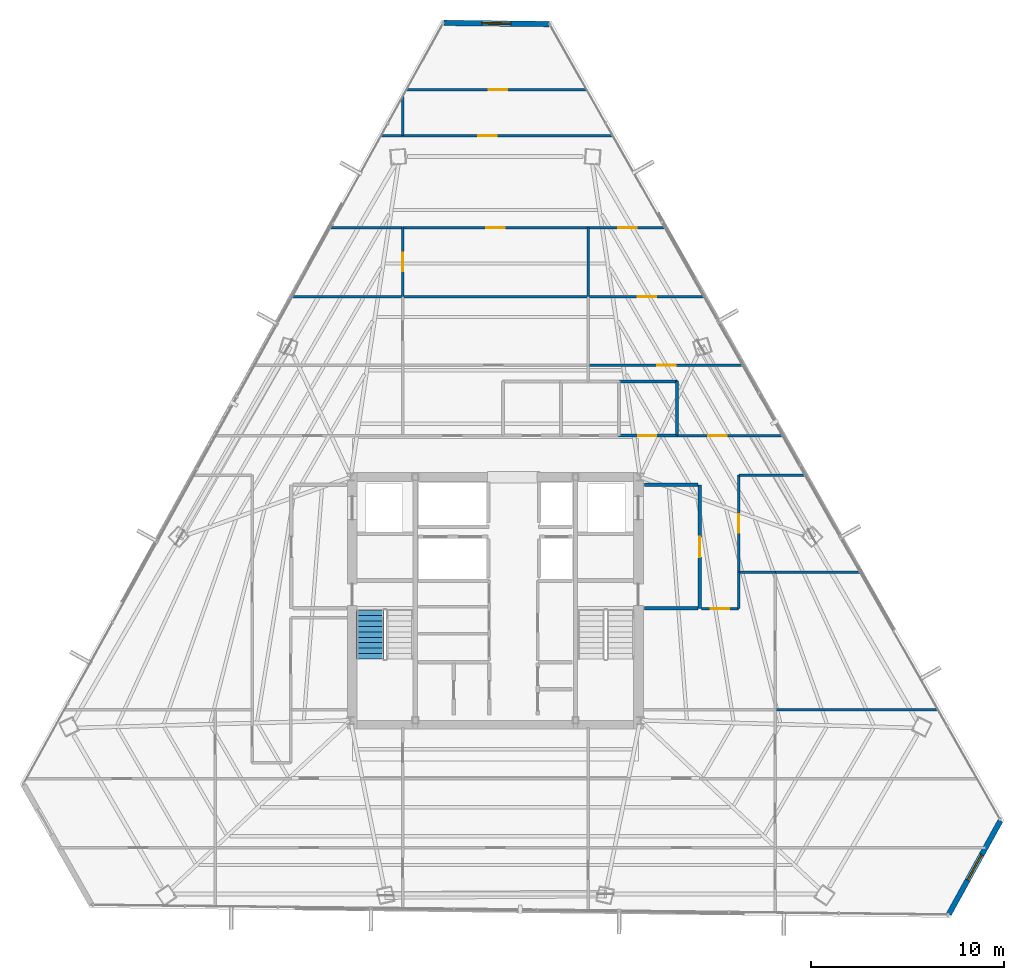
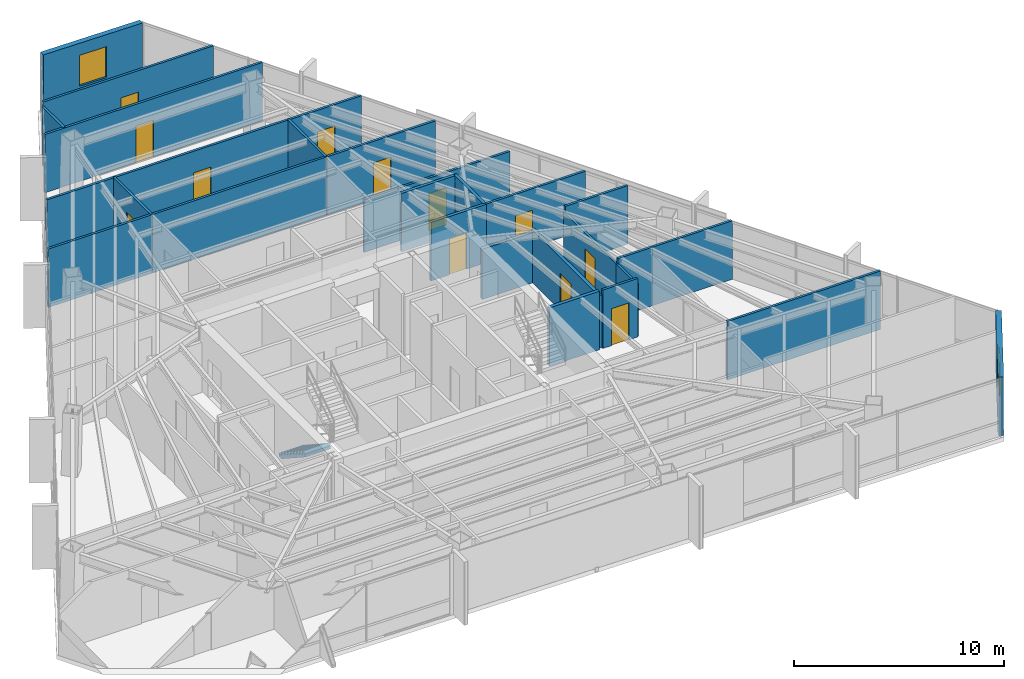
# One storey, part 38 of 42: 28 walls, 12 doors, 2 windows, 1 stair flight, 14 openings, 1 element without a shape of its own.
"""IFC4 building model written with IfcOpenShell, lengths in metres."""

from ifc_helpers import new_model, si_unit, direction, frame, frame_2d, origin, place, context, subcontext, project, spatial, polyline, rectangle, outline, extrude, material, layer, layer_set, type_object, element, fill, aggregate, save


model = new_model("IFC4")

# Units and contexts
model_context = context("Model", 3, precision=1e-05, world=origin(), true_north=direction((0.0, 1.0)))
body_context = subcontext(model_context, "Body", "Model", "MODEL_VIEW")
ifc_project = project(units=[si_unit("LENGTHUNIT", "METRE"), si_unit("AREAUNIT", "SQUARE_METRE"), si_unit("VOLUMEUNIT", "CUBIC_METRE"), si_unit("PLANEANGLEUNIT", "RADIAN"), si_unit("MASSUNIT", "GRAM", prefix="KILO")], contexts=[model_context])

# Site, building, storey
site_placement = place(None, origin())
site = spatial("IfcSite", under=ifc_project, at=site_placement, CompositionType="ELEMENT")
building_placement = place(site_placement, origin())
building = spatial("IfcBuilding", under=site, at=building_placement, Name="Caelisora Broadcast Tower", CompositionType="ELEMENT")
storey_placement = place(building_placement, frame((0.0, 0.0, 205.949951171875)))
storey = spatial("IfcBuildingStorey", under=building, at=storey_placement, Name="L54", CompositionType="ELEMENT", Elevation=205.949951171875)

# Wall, opening, window
ifc_material_1 = material(Name="Insulated Terracotta Spandrel Wall System", Category="masonry")
ifc_layer_1 = layer(ifc_material_1, 0.280029296875, Name="Insulated Terracotta Spandrel Wall System")
ifc_layer_set_1 = layer_set([ifc_layer_1], Name="Insulated Terracotta Spandrel Wall System")
wall_type_1 = type_object("IfcWallType", Name="EW1", PredefinedType="STANDARD", material=ifc_layer_set_1)
wall_1_placement = place(storey_placement, frame((64.152587890625, 12.20166015625, 0.0), z_axis=(0.0, 0.0, 1.0), x_axis=(-0.483115891813, -0.87555641456, 0.0)))
wall_1 = element("IfcWall", 1, at=wall_1_placement, inside=storey, type_object=wall_type_1, Name="L54 exterior envelope wall EW1", PredefinedType="STANDARD", context=body_context, shape_type="SweptSolid", body=[
    extrude(rectangle(XDim=5.52490234375, YDim=0.280029296875, at=frame_2d((2.762451171875, 0.0))), origin(), (0.0, 0.0, 1.0), 3.400146484375),
])
opening_1_placement = place(wall_1_placement, frame((2.010009765625, 0.0, 0.89990234375)))
opening_1 = element("IfcOpeningElement", 2, at=opening_1_placement, cuts=wall_1, Name="Opening W02", PredefinedType="OPENING", context=body_context, shape_type="SweptSolid", body=[
    extrude(rectangle(XDim=1.5, YDim=1.800048828125, at=frame_2d((0.75, 0.89990234375))), frame((0.0, 0.152099609375, 0.0), z_axis=(0.0, -1.0, 0.0), x_axis=(1.0, 0.0, 0.0)), (0.0, 0.0, 1.0), 0.303955078125),
])
ifc_material_2 = material(Name="Double Glazed Terracotta-Framed Vision Window", Category="glass")
window_type = type_object("IfcWindowType", Name="W02", PartitioningType="SINGLE_PANEL", PredefinedType="WINDOW", material=ifc_material_2)
window_1_placement = place(opening_1_placement, origin())
window_1 = element("IfcWindow", 3, at=window_1_placement, inside=storey, type_object=window_type, Name="L54 window W02 (L54-WN-CH0)", OverallHeight=1.800048828125, OverallWidth=1.5, PartitioningType="SINGLE_PANEL", PredefinedType="WINDOW", context=body_context, shape_type="SweptSolid", body=[
    extrude(rectangle(XDim=1.5, YDim=1.800048828125, at=frame_2d((0.75, 0.89990234375))), frame((0.0, 0.030029296875, 0.0), z_axis=(0.0, -1.0, 0.0), x_axis=(1.0, 0.0, 0.0)), (0.0, 0.0, 1.0), 0.06005859375),
])
fill(opening_1, window_1)

wall_2_placement = place(storey_placement, frame((35.3359375, 53.518798828125, 0.0), z_axis=(0.0, 0.0, 1.0), x_axis=(0.999936052866, -0.011308854022, 0.0)))
wall_2 = element("IfcWall", 4, at=wall_2_placement, inside=storey, type_object=wall_type_1, Name="L54 exterior envelope wall EW1", PredefinedType="STANDARD", context=body_context, shape_type="SweptSolid", body=[
    extrude(rectangle(XDim=5.440185546875, YDim=0.280029296875, at=frame_2d((2.72021484375, 0.0))), origin(), (0.0, 0.0, 1.0), 3.400146484375),
])
opening_2_placement = place(wall_2_placement, frame((1.969970703125, 0.0, 0.89990234375)))
opening_2 = element("IfcOpeningElement", 5, at=opening_2_placement, cuts=wall_2, Name="Opening W02", PredefinedType="OPENING", context=body_context, shape_type="SweptSolid", body=[
    extrude(rectangle(XDim=1.5, YDim=1.800048828125, at=frame_2d((0.75, 0.89990234375))), frame((0.0, 0.152099609375, 0.0), z_axis=(0.0, -1.0, 0.0), x_axis=(1.0, 0.0, 0.0)), (0.0, 0.0, 1.0), 0.303955078125),
])
window_2_placement = place(opening_2_placement, origin())
window_2 = element("IfcWindow", 6, at=window_2_placement, inside=storey, type_object=window_type, Name="L54 window W02 (L54-WN-CH8)", OverallHeight=1.800048828125, OverallWidth=1.5, PartitioningType="SINGLE_PANEL", PredefinedType="WINDOW", context=body_context, shape_type="SweptSolid", body=[
    extrude(rectangle(XDim=1.5, YDim=1.800048828125, at=frame_2d((0.75, 0.89990234375))), frame((0.0, 0.030029296875, 0.0), z_axis=(0.0, -1.0, 0.0), x_axis=(1.0, 0.0, 0.0)), (0.0, 0.0, 1.0), 0.06005859375),
])
fill(opening_2, window_2)

# Wall, opening, door
ifc_material_3 = material(Name="Fire-Rated Gypsum Shaft and Compartment Wall", Category="gypsum")
ifc_layer_2 = layer(ifc_material_3, 0.179931640625, Name="Fire-Rated Gypsum Shaft and Compartment Wall")
ifc_layer_set_2 = layer_set([ifc_layer_2], Name="Fire-Rated Gypsum Shaft and Compartment Wall")
wall_type_2 = type_object("IfcWallType", Name="PW2", PredefinedType="PARTITIONING", material=ifc_layer_set_2)
wall_3_placement = place(storey_placement, frame((48.580078125, 23.199951171875, 0.0), z_axis=(0.0, 0.0, 1.0), x_axis=(0.0, 1.0, 0.0)))
wall_3 = element("IfcWall", 7, at=wall_3_placement, inside=storey, type_object=wall_type_2, Name="L54 fire compartment wall PW2", PredefinedType="PARTITIONING", context=body_context, shape_type="SweptSolid", body=[
    extrude(rectangle(XDim=6.400146484375, YDim=0.179931640625, at=frame_2d((3.2001953125, 0.0))), origin(), (0.0, 0.0, 1.0), 3.077880859375),
])
opening_3_placement = place(wall_3_placement, frame((2.64990234375, 0.0, 0.0)))
opening_3 = element("IfcOpeningElement", 8, at=opening_3_placement, cuts=wall_3, Name="Opening FD02", PredefinedType="OPENING", context=body_context, shape_type="SweptSolid", body=[
    extrude(rectangle(XDim=1.050048828125, YDim=2.14990234375, at=frame_2d((0.52490234375, 1.074951171875))), frame((0.0, 0.10205078125, 0.0), z_axis=(0.0, -1.0, 0.0), x_axis=(1.0, 0.0, 0.0)), (0.0, 0.0, 1.0), 0.203857421875),
])
ifc_material_4 = material(Name="Single-Leaf Steel Fire Lobby Door", Category="steel")
door_type_1 = type_object("IfcDoorType", Name="FD02", OperationType="NOTDEFINED", PredefinedType="DOOR", material=ifc_material_4)
door_1_placement = place(opening_3_placement, origin())
door_1 = element("IfcDoor", 9, at=door_1_placement, inside=storey, type_object=door_type_1, Name="L54 door FD02 (L54-DR-P04D1)", OperationType="SINGLE_SWING_LEFT", OverallHeight=2.14990234375, OverallWidth=1.050048828125, PredefinedType="DOOR", context=body_context, shape_type="SweptSolid", body=[
    extrude(rectangle(XDim=1.050048828125, YDim=2.14990234375, at=frame_2d((0.52490234375, 1.074951171875))), frame((0.0, 0.02490234375, 0.0), z_axis=(0.0, -1.0, 0.0), x_axis=(1.0, 0.0, 0.0)), (0.0, 0.0, 1.0), 0.050048828125),
])
fill(opening_3, door_1)

# Walls
wall_4_placement = place(storey_placement, frame((45.719970703125, 23.199951171875, 0.0), z_axis=(0.0, 0.0, 1.0), x_axis=(1.0, 0.0, 0.0)))
element("IfcWall", 10, at=wall_4_placement, inside=storey, type_object=wall_type_2, Name="L54 fire compartment wall PW2", PredefinedType="PARTITIONING", context=body_context, shape_type="SweptSolid", body=[
    extrude(rectangle(XDim=2.760009765625, YDim=0.179931640625, at=frame_2d((1.3798828125, 0.0))), origin(), (0.0, 0.0, 1.0), 3.400146484375),
])
wall_5_placement = place(storey_placement, frame((45.719970703125, 29.60009765625, 0.0), z_axis=(0.0, 0.0, 1.0), x_axis=(1.0, 0.0, 0.0)))
element("IfcWall", 11, at=wall_5_placement, inside=storey, type_object=wall_type_2, Name="L54 fire compartment wall PW2", PredefinedType="PARTITIONING", context=body_context, shape_type="SweptSolid", body=[
    extrude(rectangle(XDim=2.760009765625, YDim=0.179931640625, at=frame_2d((1.3798828125, 0.0))), origin(), (0.0, 0.0, 1.0), 2.924560546875),
])

# Wall, opening, door
ifc_material_5 = material(Name="Acoustic Steel-Stud Plasterboard Partition", Category="gypsum")
ifc_layer_3 = layer(ifc_material_5, 0.1298828125, Name="Acoustic Steel-Stud Plasterboard Partition")
ifc_layer_set_3 = layer_set([ifc_layer_3], Name="Acoustic Steel-Stud Plasterboard Partition")
wall_type_3 = type_object("IfcWallType", Name="PW3", PredefinedType="PARTITIONING", material=ifc_layer_set_3)
wall_6_placement = place(storey_placement, frame((32.1044921875, 47.679931640625, 0.0), z_axis=(0.0, 0.0, 1.0), x_axis=(1.0, 0.0, 0.0)))
wall_6 = element("IfcWall", 12, at=wall_6_placement, inside=storey, type_object=wall_type_3, Name="L54 internal partition PW3", PredefinedType="PARTITIONING", context=body_context, shape_type="SweptSolid", body=[
    extrude(rectangle(XDim=11.980712890625, YDim=0.1298828125, at=frame_2d((5.990234375, 0.0))), origin(), (0.0, 0.0, 1.0), 3.400146484375),
])
opening_4_placement = place(wall_6_placement, frame((5.011962890625, 0.0, 0.0)))
opening_4 = element("IfcOpeningElement", 13, at=opening_4_placement, cuts=wall_6, Name="Opening D01", PredefinedType="OPENING", context=body_context, shape_type="SweptSolid", body=[
    extrude(rectangle(XDim=0.9599609375, YDim=2.14990234375, at=frame_2d((0.47998046875, 1.074951171875))), frame((0.0, 0.076904296875, 0.0), z_axis=(0.0, -1.0, 0.0), x_axis=(1.0, 0.0, 0.0)), (0.0, 0.0, 1.0), 0.15380859375),
])
ifc_material_6 = material(Name="Solid-Core Timber Acoustic Office Door", Category="wood")
door_type_2 = type_object("IfcDoorType", Name="D01", OperationType="NOTDEFINED", PredefinedType="DOOR", material=ifc_material_6)
door_2_placement = place(opening_4_placement, origin())
door_2 = element("IfcDoor", 14, at=door_2_placement, inside=storey, type_object=door_type_2, Name="L54 door D01 (L54-DR-P33D1)", OperationType="SINGLE_SWING_RIGHT", OverallHeight=2.14990234375, OverallWidth=0.9599609375, PredefinedType="DOOR", context=body_context, shape_type="SweptSolid", body=[
    extrude(rectangle(XDim=0.9599609375, YDim=2.14990234375, at=frame_2d((0.47998046875, 1.074951171875))), frame((0.0, 0.02490234375, 0.0), z_axis=(0.0, -1.0, 0.0), x_axis=(1.0, 0.0, 0.0)), (0.0, 0.0, 1.0), 0.050048828125),
])
fill(opening_4, door_2)

wall_7_placement = place(storey_placement, frame((33.205078125, 42.919921875, 0.0), z_axis=(0.0, 0.0, 1.0), x_axis=(1.0, 0.0, 0.0)))
wall_7 = element("IfcWall", 15, at=wall_7_placement, inside=storey, type_object=wall_type_3, Name="L54 internal partition PW3", PredefinedType="PARTITIONING", context=body_context, shape_type="SweptSolid", body=[
    extrude(rectangle(XDim=9.58984375, YDim=0.1298828125, at=frame_2d((4.794921875, 0.0))), origin(), (0.0, 0.0, 1.0), 3.400146484375),
])
opening_5_placement = place(wall_7_placement, frame((4.31494140625, 0.0, 0.0)))
opening_5 = element("IfcOpeningElement", 16, at=opening_5_placement, cuts=wall_7, Name="Opening D01", PredefinedType="OPENING", context=body_context, shape_type="SweptSolid", body=[
    extrude(rectangle(XDim=0.9599609375, YDim=2.14990234375, at=frame_2d((0.47998046875, 1.074951171875))), frame((0.0, 0.076904296875, 0.0), z_axis=(0.0, -1.0, 0.0), x_axis=(1.0, 0.0, 0.0)), (0.0, 0.0, 1.0), 0.15380859375),
])
door_3_placement = place(opening_5_placement, origin())
door_3 = element("IfcDoor", 17, at=door_3_placement, inside=storey, type_object=door_type_2, Name="L54 door D01 (L54-DR-P43D1)", OperationType="SINGLE_SWING_LEFT", OverallHeight=2.14990234375, OverallWidth=0.9599609375, PredefinedType="DOOR", context=body_context, shape_type="SweptSolid", body=[
    extrude(rectangle(XDim=0.9599609375, YDim=2.14990234375, at=frame_2d((0.47998046875, 1.074951171875))), frame((0.0, 0.02490234375, 0.0), z_axis=(0.0, -1.0, 0.0), x_axis=(1.0, 0.0, 0.0)), (0.0, 0.0, 1.0), 0.050048828125),
])
fill(opening_5, door_3)

# Wall
wall_8_placement = place(storey_placement, frame((33.205078125, 39.35009765625, 0.0), z_axis=(0.0, 0.0, 1.0), x_axis=(1.0, 0.0, 0.0)))
element("IfcWall", 18, at=wall_8_placement, inside=storey, type_object=wall_type_3, Name="L54 internal partition PW3", PredefinedType="PARTITIONING", context=body_context, shape_type="SweptSolid", body=[
    extrude(rectangle(XDim=9.58984375, YDim=0.1298828125, at=frame_2d((4.794921875, 0.0))), origin(), (0.0, 0.0, 1.0), 3.400146484375),
])

# Wall, opening, door
wall_9_placement = place(storey_placement, frame((33.38623046875, 50.050048828125, 0.0), z_axis=(0.0, 0.0, 1.0), x_axis=(1.0, 0.0, 0.0)))
wall_9 = element("IfcWall", 19, at=wall_9_placement, inside=storey, type_object=wall_type_3, Name="L54 internal partition PW3", PredefinedType="PARTITIONING", context=body_context, shape_type="SweptSolid", body=[
    extrude(rectangle(XDim=9.35595703125, YDim=0.1298828125, at=frame_2d((4.677978515625, 0.0))), origin(), (0.0, 0.0, 1.0), 3.400146484375),
])
opening_6_placement = place(wall_9_placement, frame((4.280029296875, 0.0, 0.0)))
opening_6 = element("IfcOpeningElement", 20, at=opening_6_placement, cuts=wall_9, Name="Opening D01", PredefinedType="OPENING", context=body_context, shape_type="SweptSolid", body=[
    extrude(rectangle(XDim=0.9599609375, YDim=2.14990234375, at=frame_2d((0.47998046875, 1.074951171875))), frame((0.0, 0.076904296875, 0.0), z_axis=(0.0, -1.0, 0.0), x_axis=(1.0, 0.0, 0.0)), (0.0, 0.0, 1.0), 0.15380859375),
])
door_4_placement = place(opening_6_placement, origin())
door_4 = element("IfcDoor", 21, at=door_4_placement, inside=storey, type_object=door_type_2, Name="L54 door D01 (L54-DR-P46D1)", OperationType="SINGLE_SWING_LEFT", OverallHeight=2.14990234375, OverallWidth=0.9599609375, PredefinedType="DOOR", context=body_context, shape_type="SweptSolid", body=[
    extrude(rectangle(XDim=0.9599609375, YDim=2.14990234375, at=frame_2d((0.47998046875, 1.074951171875))), frame((0.0, 0.02490234375, 0.0), z_axis=(0.0, -1.0, 0.0), x_axis=(1.0, 0.0, 0.0)), (0.0, 0.0, 1.0), 0.050048828125),
])
fill(opening_6, door_4)

# Wall
wall_10_placement = place(storey_placement, frame((52.5048828125, 17.93994140625, 0.0), z_axis=(0.0, 0.0, 1.0), x_axis=(1.0, 0.0, 0.0)))
element("IfcWall", 22, at=wall_10_placement, inside=storey, type_object=wall_type_3, Name="L54 internal partition PW3", PredefinedType="PARTITIONING", context=body_context, shape_type="SweptSolid", body=[
    extrude(rectangle(XDim=8.431396484375, YDim=0.1298828125, at=frame_2d((4.2158203125, 0.0))), origin(), (0.0, 0.0, 1.0), 3.400146484375),
])

# Wall, opening, door
wall_11_placement = place(storey_placement, frame((42.804931640625, 35.780029296875, 0.0), z_axis=(0.0, 0.0, 1.0), x_axis=(1.0, 0.0, 0.0)))
wall_11 = element("IfcWall", 23, at=wall_11_placement, inside=storey, type_object=wall_type_3, Name="L54 internal partition PW3", PredefinedType="PARTITIONING", context=body_context, shape_type="SweptSolid", body=[
    extrude(rectangle(XDim=8.02294921875, YDim=0.1298828125, at=frame_2d((4.011474609375, 0.0))), origin(), (0.0, 0.0, 1.0), 3.077880859375),
])
opening_7_placement = place(wall_11_placement, frame((3.5869140625, 0.0, 0.0)))
opening_7 = element("IfcOpeningElement", 24, at=opening_7_placement, cuts=wall_11, Name="Opening D01", PredefinedType="OPENING", context=body_context, shape_type="SweptSolid", body=[
    extrude(rectangle(XDim=0.9599609375, YDim=2.14990234375, at=frame_2d((0.47998046875, 1.074951171875))), frame((0.0, 0.076904296875, 0.0), z_axis=(0.0, -1.0, 0.0), x_axis=(1.0, 0.0, 0.0)), (0.0, 0.0, 1.0), 0.15380859375),
])
door_5_placement = place(opening_7_placement, origin())
door_5 = element("IfcDoor", 25, at=door_5_placement, inside=storey, type_object=door_type_2, Name="L54 door D01 (L54-DR-P50D1)", OperationType="SINGLE_SWING_LEFT", OverallHeight=2.14990234375, OverallWidth=0.9599609375, PredefinedType="DOOR", context=body_context, shape_type="SweptSolid", body=[
    extrude(rectangle(XDim=0.9599609375, YDim=2.14990234375, at=frame_2d((0.47998046875, 1.074951171875))), frame((0.0, 0.02490234375, 0.0), z_axis=(0.0, -1.0, 0.0), x_axis=(1.0, 0.0, 0.0)), (0.0, 0.0, 1.0), 0.050048828125),
])
fill(opening_7, door_5)

wall_12_placement = place(storey_placement, frame((42.804931640625, 39.35009765625, 0.0), z_axis=(0.0, 0.0, 1.0), x_axis=(1.0, 0.0, 0.0)))
wall_12 = element("IfcWall", 26, at=wall_12_placement, inside=storey, type_object=wall_type_3, Name="L54 internal partition PW3", PredefinedType="PARTITIONING", context=body_context, shape_type="SweptSolid", body=[
    extrude(rectangle(XDim=6.000244140625, YDim=0.1298828125, at=frame_2d((3.0, 0.0))), origin(), (0.0, 0.0, 1.0), 3.400146484375),
])
opening_8_placement = place(wall_12_placement, frame((2.577880859375, 0.0, 0.0)))
opening_8 = element("IfcOpeningElement", 27, at=opening_8_placement, cuts=wall_12, Name="Opening D01", PredefinedType="OPENING", context=body_context, shape_type="SweptSolid", body=[
    extrude(rectangle(XDim=0.9599609375, YDim=2.14990234375, at=frame_2d((0.47998046875, 1.074951171875))), frame((0.0, 0.076904296875, 0.0), z_axis=(0.0, -1.0, 0.0), x_axis=(1.0, 0.0, 0.0)), (0.0, 0.0, 1.0), 0.15380859375),
])
door_6_placement = place(opening_8_placement, origin())
door_6 = element("IfcDoor", 28, at=door_6_placement, inside=storey, type_object=door_type_2, Name="L54 door D01 (L54-DR-P55D1)", OperationType="SINGLE_SWING_LEFT", OverallHeight=2.14990234375, OverallWidth=0.9599609375, PredefinedType="DOOR", context=body_context, shape_type="SweptSolid", body=[
    extrude(rectangle(XDim=0.9599609375, YDim=2.14990234375, at=frame_2d((0.47998046875, 1.074951171875))), frame((0.0, 0.02490234375, 0.0), z_axis=(0.0, -1.0, 0.0), x_axis=(1.0, 0.0, 0.0)), (0.0, 0.0, 1.0), 0.050048828125),
])
fill(opening_8, door_6)

# Wall
wall_13_placement = place(storey_placement, frame((27.48291015625, 39.35009765625, 0.0), z_axis=(0.0, 0.0, 1.0), x_axis=(1.0, 0.0, 0.0)))
element("IfcWall", 29, at=wall_13_placement, inside=storey, type_object=wall_type_3, Name="L54 internal partition PW3", PredefinedType="PARTITIONING", context=body_context, shape_type="SweptSolid", body=[
    extrude(rectangle(XDim=5.712158203125, YDim=0.1298828125, at=frame_2d((2.85595703125, 0.0))), origin(), (0.0, 0.0, 1.0), 3.400146484375),
])

# Wall, opening, door
wall_14_placement = place(storey_placement, frame((47.405029296875, 32.14990234375, 0.0), z_axis=(0.0, 0.0, 1.0), x_axis=(1.0, 0.0, 0.0)))
wall_14 = element("IfcWall", 30, at=wall_14_placement, inside=storey, type_object=wall_type_3, Name="L54 internal partition PW3", PredefinedType="PARTITIONING", context=body_context, shape_type="SweptSolid", body=[
    extrude(rectangle(XDim=5.479736328125, YDim=0.1298828125, at=frame_2d((2.73974609375, 0.0))), origin(), (0.0, 0.0, 1.0), 3.400146484375),
])
opening_9_placement = place(wall_14_placement, frame((1.6201171875, 0.0, 0.0)))
opening_9 = element("IfcOpeningElement", 31, at=opening_9_placement, cuts=wall_14, Name="Opening D01", PredefinedType="OPENING", context=body_context, shape_type="SweptSolid", body=[
    extrude(rectangle(XDim=0.9599609375, YDim=2.14990234375, at=frame_2d((0.47998046875, 1.074951171875))), frame((0.0, 0.076904296875, 0.0), z_axis=(0.0, -1.0, 0.0), x_axis=(1.0, 0.0, 0.0)), (0.0, 0.0, 1.0), 0.15380859375),
])
door_7_placement = place(opening_9_placement, origin())
door_7 = element("IfcDoor", 32, at=door_7_placement, inside=storey, type_object=door_type_2, Name="L54 door D01 (L54-DR-P57D1)", OperationType="SINGLE_SWING_RIGHT", OverallHeight=2.14990234375, OverallWidth=0.9599609375, PredefinedType="DOOR", context=body_context, shape_type="SweptSolid", body=[
    extrude(rectangle(XDim=0.9599609375, YDim=2.14990234375, at=frame_2d((0.47998046875, 1.074951171875))), frame((0.0, 0.02490234375, 0.0), z_axis=(0.0, -1.0, 0.0), x_axis=(1.0, 0.0, 0.0)), (0.0, 0.0, 1.0), 0.050048828125),
])
fill(opening_9, door_7)

wall_15_placement = place(storey_placement, frame((50.60009765625, 25.0849609375, 0.0), z_axis=(0.0, 0.0, 1.0), x_axis=(0.0, 1.0, 0.0)))
wall_15 = element("IfcWall", 33, at=wall_15_placement, inside=storey, type_object=wall_type_3, Name="L54 internal partition PW3", PredefinedType="PARTITIONING", context=body_context, shape_type="SweptSolid", body=[
    extrude(rectangle(XDim=5.010009765625, YDim=0.1298828125, at=frame_2d((2.5048828125, 0.0))), origin(), (0.0, 0.0, 1.0), 3.077880859375),
])
opening_10_placement = place(wall_15_placement, frame((2.02490234375, 0.0, 0.0)))
opening_10 = element("IfcOpeningElement", 34, at=opening_10_placement, cuts=wall_15, Name="Opening D01", PredefinedType="OPENING", context=body_context, shape_type="SweptSolid", body=[
    extrude(rectangle(XDim=0.9599609375, YDim=2.14990234375, at=frame_2d((0.47998046875, 1.074951171875))), frame((0.0, 0.076904296875, 0.0), z_axis=(0.0, -1.0, 0.0), x_axis=(1.0, 0.0, 0.0)), (0.0, 0.0, 1.0), 0.15380859375),
])
door_8_placement = place(opening_10_placement, origin())
door_8 = element("IfcDoor", 35, at=door_8_placement, inside=storey, type_object=door_type_2, Name="L54 door D01 (L54-DR-P58D1)", OperationType="SINGLE_SWING_LEFT", OverallHeight=2.14990234375, OverallWidth=0.9599609375, PredefinedType="DOOR", context=body_context, shape_type="SweptSolid", body=[
    extrude(rectangle(XDim=0.9599609375, YDim=2.14990234375, at=frame_2d((0.47998046875, 1.074951171875))), frame((0.0, 0.02490234375, 0.0), z_axis=(0.0, -1.0, 0.0), x_axis=(1.0, 0.0, 0.0)), (0.0, 0.0, 1.0), 0.050048828125),
])
fill(opening_10, door_8)

# Wall
wall_16_placement = place(storey_placement, frame((52.5048828125, 25.080078125, 0.0), z_axis=(0.0, 0.0, 1.0), x_axis=(1.0, 0.0, 0.0)))
element("IfcWall", 36, at=wall_16_placement, inside=storey, type_object=wall_type_3, Name="L54 internal partition PW3", PredefinedType="PARTITIONING", context=body_context, shape_type="SweptSolid", body=[
    extrude(rectangle(XDim=4.3857421875, YDim=0.1298828125, at=frame_2d((2.19287109375, 0.0))), origin(), (0.0, 0.0, 1.0), 3.400146484375),
])

# Wall, opening, door
wall_17_placement = place(storey_placement, frame((42.804931640625, 42.919921875, 0.0), z_axis=(0.0, 0.0, 1.0), x_axis=(1.0, 0.0, 0.0)))
wall_17 = element("IfcWall", 37, at=wall_17_placement, inside=storey, type_object=wall_type_3, Name="L54 internal partition PW3", PredefinedType="PARTITIONING", context=body_context, shape_type="SweptSolid", body=[
    extrude(rectangle(XDim=3.977294921875, YDim=0.1298828125, at=frame_2d((1.98876953125, 0.0))), origin(), (0.0, 0.0, 1.0), 3.400146484375),
])
opening_11_placement = place(wall_17_placement, frame((1.56298828125, 0.0, 0.0)))
opening_11 = element("IfcOpeningElement", 38, at=opening_11_placement, cuts=wall_17, Name="Opening D01", PredefinedType="OPENING", context=body_context, shape_type="SweptSolid", body=[
    extrude(rectangle(XDim=0.9599609375, YDim=2.14990234375, at=frame_2d((0.47998046875, 1.074951171875))), frame((0.0, 0.076904296875, 0.0), z_axis=(0.0, -1.0, 0.0), x_axis=(1.0, 0.0, 0.0)), (0.0, 0.0, 1.0), 0.15380859375),
])
door_9_placement = place(opening_11_placement, origin())
door_9 = element("IfcDoor", 39, at=door_9_placement, inside=storey, type_object=door_type_2, Name="L54 door D01 (L54-DR-P61D1)", OperationType="SINGLE_SWING_LEFT", OverallHeight=2.14990234375, OverallWidth=0.9599609375, PredefinedType="DOOR", context=body_context, shape_type="SweptSolid", body=[
    extrude(rectangle(XDim=0.9599609375, YDim=2.14990234375, at=frame_2d((0.47998046875, 1.074951171875))), frame((0.0, 0.02490234375, 0.0), z_axis=(0.0, -1.0, 0.0), x_axis=(1.0, 0.0, 0.0)), (0.0, 0.0, 1.0), 0.050048828125),
])
fill(opening_11, door_9)

# Walls
wall_18_placement = place(storey_placement, frame((29.452392578125, 42.919921875, 0.0), z_axis=(0.0, 0.0, 1.0), x_axis=(1.0, 0.0, 0.0)))
element("IfcWall", 40, at=wall_18_placement, inside=storey, type_object=wall_type_3, Name="L54 internal partition PW3", PredefinedType="PARTITIONING", context=body_context, shape_type="SweptSolid", body=[
    extrude(rectangle(XDim=3.74267578125, YDim=0.1298828125, at=frame_2d((1.871337890625, 0.0))), origin(), (0.0, 0.0, 1.0), 3.400146484375),
])
wall_19_placement = place(storey_placement, frame((42.800048828125, 39.35498046875, 0.0), z_axis=(0.0, 0.0, 1.0), x_axis=(0.0, 1.0, 0.0)))
element("IfcWall", 41, at=wall_19_placement, inside=storey, type_object=wall_type_3, Name="L54 internal partition PW3", PredefinedType="PARTITIONING", context=body_context, shape_type="SweptSolid", body=[
    extrude(rectangle(XDim=3.56005859375, YDim=0.1298828125, at=frame_2d((1.780029296875, 0.0))), origin(), (0.0, 0.0, 1.0), 3.400146484375),
])

# Wall, opening, door
wall_20_placement = place(storey_placement, frame((33.199951171875, 39.35498046875, 0.0), z_axis=(0.0, 0.0, 1.0), x_axis=(0.0, 1.0, 0.0)))
wall_20 = element("IfcWall", 42, at=wall_20_placement, inside=storey, type_object=wall_type_3, Name="L54 internal partition PW3", PredefinedType="PARTITIONING", context=body_context, shape_type="SweptSolid", body=[
    extrude(rectangle(XDim=3.56005859375, YDim=0.1298828125, at=frame_2d((1.780029296875, 0.0))), origin(), (0.0, 0.0, 1.0), 3.400146484375),
])
opening_12_placement = place(wall_20_placement, frame((1.300048828125, 0.0, 0.0)))
opening_12 = element("IfcOpeningElement", 43, at=opening_12_placement, cuts=wall_20, Name="Opening D01", PredefinedType="OPENING", context=body_context, shape_type="SweptSolid", body=[
    extrude(rectangle(XDim=0.9599609375, YDim=2.14990234375, at=frame_2d((0.47998046875, 1.074951171875))), frame((0.0, 0.076904296875, 0.0), z_axis=(0.0, -1.0, 0.0), x_axis=(1.0, 0.0, 0.0)), (0.0, 0.0, 1.0), 0.15380859375),
])
door_10_placement = place(opening_12_placement, origin())
door_10 = element("IfcDoor", 44, at=door_10_placement, inside=storey, type_object=door_type_2, Name="L54 door D01 (L54-DR-P68D1)", OperationType="SINGLE_SWING_LEFT", OverallHeight=2.14990234375, OverallWidth=0.9599609375, PredefinedType="DOOR", context=body_context, shape_type="SweptSolid", body=[
    extrude(rectangle(XDim=0.9599609375, YDim=2.14990234375, at=frame_2d((0.47998046875, 1.074951171875))), frame((0.0, 0.02490234375, 0.0), z_axis=(0.0, -1.0, 0.0), x_axis=(1.0, 0.0, 0.0)), (0.0, 0.0, 1.0), 0.050048828125),
])
fill(opening_12, door_10)

# Walls
wall_21_placement = place(storey_placement, frame((50.60498046875, 30.10009765625, 0.0), z_axis=(0.0, 0.0, 1.0), x_axis=(1.0, 0.0, 0.0)))
element("IfcWall", 45, at=wall_21_placement, inside=storey, type_object=wall_type_3, Name="L54 internal partition PW3", PredefinedType="PARTITIONING", context=body_context, shape_type="SweptSolid", body=[
    extrude(rectangle(XDim=3.44140625, YDim=0.1298828125, at=frame_2d((1.720703125, 0.0))), origin(), (0.0, 0.0, 1.0), 3.400146484375),
])
wall_22_placement = place(storey_placement, frame((33.199951171875, 47.68505859375, 0.0), z_axis=(0.0, 0.0, 1.0), x_axis=(0.0, 1.0, 0.0)))
element("IfcWall", 46, at=wall_22_placement, inside=storey, type_object=wall_type_3, Name="L54 internal partition PW3", PredefinedType="PARTITIONING", context=body_context, shape_type="SweptSolid", body=[
    extrude(rectangle(XDim=2.02734375, YDim=0.1298828125, at=frame_2d((1.013671875, 0.0))), origin(), (0.0, 0.0, 1.0), 3.400146484375),
])

# Wall, opening, door
wall_23_placement = place(storey_placement, frame((48.675048828125, 23.179931640625, 0.0), z_axis=(0.0, 0.0, 1.0), x_axis=(1.0, 0.0, 0.0)))
wall_23 = element("IfcWall", 47, at=wall_23_placement, inside=storey, type_object=wall_type_3, Name="L54 internal partition PW3", PredefinedType="PARTITIONING", context=body_context, shape_type="SweptSolid", body=[
    extrude(rectangle(XDim=1.919921875, YDim=0.1298828125, at=frame_2d((0.9599609375, 0.0))), origin(), (0.0, 0.0, 1.0), 3.400146484375),
])
opening_13_placement = place(wall_23_placement, frame((0.47998046875, 0.0, 0.0)))
opening_13 = element("IfcOpeningElement", 48, at=opening_13_placement, cuts=wall_23, Name="Opening D01", PredefinedType="OPENING", context=body_context, shape_type="SweptSolid", body=[
    extrude(rectangle(XDim=0.9599609375, YDim=2.14990234375, at=frame_2d((0.47998046875, 1.074951171875))), frame((0.0, 0.076904296875, 0.0), z_axis=(0.0, -1.0, 0.0), x_axis=(1.0, 0.0, 0.0)), (0.0, 0.0, 1.0), 0.15380859375),
])
door_11_placement = place(opening_13_placement, origin())
door_11 = element("IfcDoor", 49, at=door_11_placement, inside=storey, type_object=door_type_2, Name="L54 door D01 (L54-DR-P87D1)", OperationType="SINGLE_SWING_RIGHT", OverallHeight=2.14990234375, OverallWidth=0.9599609375, PredefinedType="DOOR", context=body_context, shape_type="SweptSolid", body=[
    extrude(rectangle(XDim=0.9599609375, YDim=2.14990234375, at=frame_2d((0.47998046875, 1.074951171875))), frame((0.0, 0.02490234375, 0.0), z_axis=(0.0, -1.0, 0.0), x_axis=(1.0, 0.0, 0.0)), (0.0, 0.0, 1.0), 0.050048828125),
])
fill(opening_13, door_11)

# Walls
wall_24_placement = place(storey_placement, frame((50.60009765625, 23.18505859375, 0.0), z_axis=(0.0, 0.0, 1.0), x_axis=(0.0, 1.0, 0.0)))
element("IfcWall", 50, at=wall_24_placement, inside=storey, type_object=wall_type_3, Name="L54 internal partition PW3", PredefinedType="PARTITIONING", context=body_context, shape_type="SweptSolid", body=[
    extrude(rectangle(XDim=1.889892578125, YDim=0.1298828125, at=frame_2d((0.94482421875, 0.0))), origin(), (0.0, 0.0, 1.0), 3.077880859375),
])
wall_25_placement = place(storey_placement, frame((50.60498046875, 25.080078125, 0.0), z_axis=(0.0, 0.0, 1.0), x_axis=(1.0, 0.0, 0.0)))
element("IfcWall", 51, at=wall_25_placement, inside=storey, type_object=wall_type_3, Name="L54 internal partition PW3", PredefinedType="PARTITIONING", context=body_context, shape_type="SweptSolid", body=[
    extrude(rectangle(XDim=1.89013671875, YDim=0.1298828125, at=frame_2d((0.945068359375, 0.0))), origin(), (0.0, 0.0, 1.0), 3.400146484375),
])

# Wall, opening, door
ifc_material_7 = material(Name="Moisture-Resistant Wet Plumbing Service Wall", Category="gypsum")
ifc_layer_4 = layer(ifc_material_7, 0.159912109375, Name="Moisture-Resistant Wet Plumbing Service Wall")
ifc_layer_set_4 = layer_set([ifc_layer_4], Name="Moisture-Resistant Wet Plumbing Service Wall")
wall_type_4 = type_object("IfcWallType", Name="PW4", PredefinedType="PLUMBINGWALL", material=ifc_layer_set_4)
wall_26_placement = place(storey_placement, frame((44.375, 32.14990234375, 0.0), z_axis=(0.0, 0.0, 1.0), x_axis=(1.0, 0.0, 0.0)))
wall_26 = element("IfcWall", 52, at=wall_26_placement, inside=storey, type_object=wall_type_4, Name="L54 wet plumbing wall PW4", PredefinedType="PLUMBINGWALL", context=body_context, shape_type="SweptSolid", body=[
    extrude(rectangle(XDim=3.050048828125, YDim=0.159912109375, at=frame_2d((1.52490234375, 0.0))), origin(), (0.0, 0.0, 1.0), 3.400146484375),
])
opening_14_placement = place(wall_26_placement, frame((1.034912109375, 0.0, 0.0)))
opening_14 = element("IfcOpeningElement", 53, at=opening_14_placement, cuts=wall_26, Name="Opening D03", PredefinedType="OPENING", context=body_context, shape_type="SweptSolid", body=[
    extrude(rectangle(XDim=0.919921875, YDim=2.10009765625, at=frame_2d((0.4599609375, 1.050048828125))), frame((0.0, 0.092041015625, 0.0), z_axis=(0.0, -1.0, 0.0), x_axis=(1.0, 0.0, 0.0)), (0.0, 0.0, 1.0), 0.183837890625),
])
ifc_material_8 = material(Name="Laminate Moisture-Resistant Amenity WC Door", Category="wood")
door_type_3 = type_object("IfcDoorType", Name="D03", OperationType="NOTDEFINED", PredefinedType="DOOR", material=ifc_material_8)
door_12_placement = place(opening_14_placement, origin())
door_12 = element("IfcDoor", 54, at=door_12_placement, inside=storey, type_object=door_type_3, Name="L54 door D03 (L54-DR-P21D1)", OperationType="SINGLE_SWING_RIGHT", OverallHeight=2.10009765625, OverallWidth=0.919921875, PredefinedType="DOOR", context=body_context, shape_type="SweptSolid", body=[
    extrude(rectangle(XDim=0.919921875, YDim=2.10009765625, at=frame_2d((0.4599609375, 1.050048828125))), frame((0.0, 0.02490234375, 0.0), z_axis=(0.0, -1.0, 0.0), x_axis=(1.0, 0.0, 0.0)), (0.0, 0.0, 1.0), 0.050048828125),
])
fill(opening_14, door_12)

# Walls
wall_27_placement = place(storey_placement, frame((47.425048828125, 34.949951171875, 0.0), z_axis=(0.0, 0.0, 1.0), x_axis=(-1.0, 0.0, 0.0)))
element("IfcWall", 55, at=wall_27_placement, inside=storey, type_object=wall_type_4, Name="L54 wet plumbing wall PW4", PredefinedType="PLUMBINGWALL", context=body_context, shape_type="SweptSolid", body=[
    extrude(rectangle(XDim=3.050048828125, YDim=0.159912109375, at=frame_2d((1.52490234375, 0.0))), origin(), (0.0, 0.0, 1.0), 3.400146484375),
])
wall_28_placement = place(storey_placement, frame((47.39990234375, 32.18505859375, 0.0), z_axis=(0.0, 0.0, 1.0), x_axis=(0.0, 1.0, 0.0)))
element("IfcWall", 56, at=wall_28_placement, inside=storey, type_object=wall_type_4, Name="L54 wet plumbing wall PW4", PredefinedType="PLUMBINGWALL", context=body_context, shape_type="SweptSolid", body=[
    extrude(rectangle(XDim=2.7900390625, YDim=0.159912109375, at=frame_2d((1.39501953125, 0.0))), origin(), (0.0, 0.0, 1.0), 3.400146484375),
])

# Stair, stair flight
ifc_material_9 = material(Name="Concrete 40 MPa (AS 3600 N40)", Category="concrete")
stair_type = type_object("IfcStairType", Name="ST-1", PredefinedType="HALF_TURN_STAIR", material=ifc_material_9)
stair_placement = place(storey_placement, origin())
stair = element("IfcStair", 57, at=stair_placement, inside=storey, type_object=stair_type, Name="L54 West Fire-Isolated Tower Stair", PredefinedType="HALF_TURN_STAIR")
stair_flight_type = type_object("IfcStairFlightType", Name="STF-3", PredefinedType="STRAIGHT", material=ifc_material_9)
stair_flight_placement = place(storey_placement, frame((31.52001953125, 23.10009765625, 0.0), z_axis=(0.0, 0.0, 1.0), x_axis=(0.0, -1.0, 0.0)))
stair_flight = element("IfcStairFlight", 58, at=stair_flight_placement, type_object=stair_flight_type, Name="ST-1 flight 1", NumberOfRisers=10, NumberOfTreads=9, PredefinedType="STRAIGHT", RiserHeight=0.1825, TreadLength=0.28, context=body_context, shape_type="SweptSolid", body=[
    extrude(outline(polyline([(0.0, 0.0), (0.0, 0.1826171875), (0.280029296875, 0.1826171875), (0.280029296875, 0.364990234375), (0.56005859375, 0.364990234375), (0.56005859375, 0.547607421875), (0.840087890625, 0.547607421875), (0.840087890625, 0.72998046875), (1.1201171875, 0.72998046875), (1.1201171875, 0.91259765625), (1.39990234375, 0.91259765625), (1.39990234375, 1.094970703125), (1.679931640625, 1.094970703125), (1.679931640625, 1.277587890625), (1.9599609375, 1.277587890625), (1.9599609375, 1.4599609375), (2.239990234375, 1.4599609375), (2.239990234375, 1.642578125), (2.52001953125, 1.642578125), (2.52001953125, 1.824951171875), (2.52001953125, 1.463623046875), (0.2744140625, 0.0), (0.0, 0.0)])), frame((0.0, 0.699951171875, 0.0), z_axis=(0.0, -1.0, 0.0), x_axis=(1.0, 0.0, 0.0)), (0.0, 0.0, 1.0), 1.39990234375),
])
aggregate(stair, [stair_flight])

save(model, "model.ifc")
